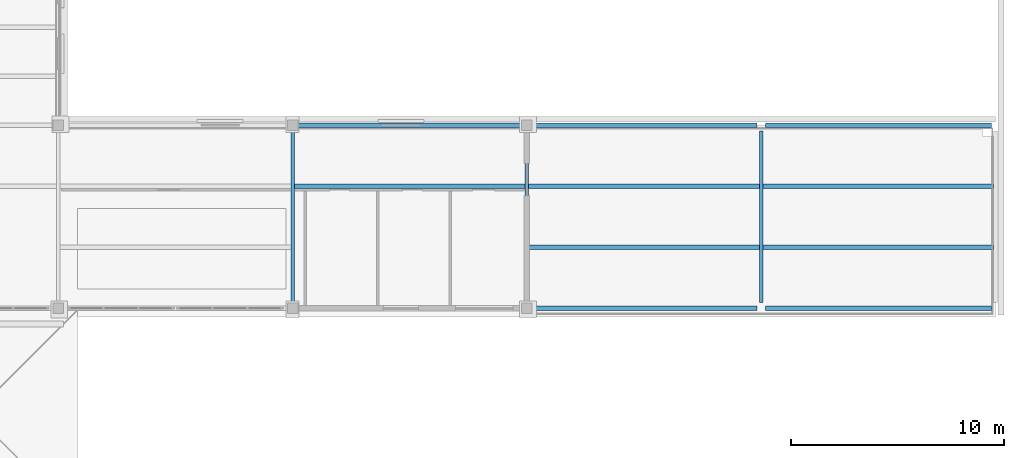
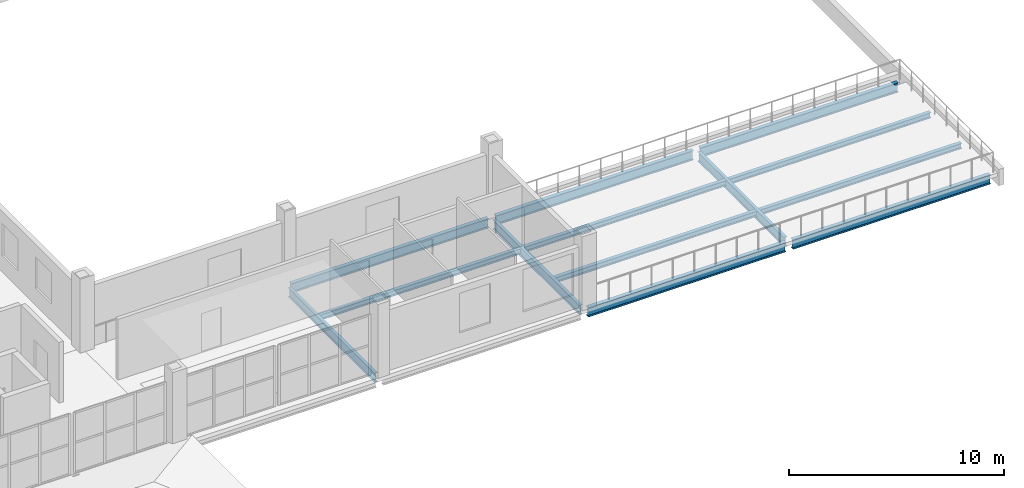
# One storey, part 16 of 26: 13 beams.
"""IFC4 building model written with IfcOpenShell, lengths in metres."""

from ifc_helpers import new_model, si_unit, direction, frame, origin, origin_2d, place, context, subcontext, project, spatial, i_section, extrude, material, material_profile, profile_set, type_object, element, save


model = new_model("IFC4")

# Units and contexts
model_context = context("Model", 3, precision=1e-05, world=origin(), true_north=direction((0.0, 1.0)))
body_context = subcontext(model_context, "Body", "Model", "MODEL_VIEW")
ifc_project = project(units=[si_unit("LENGTHUNIT", "METRE"), si_unit("AREAUNIT", "SQUARE_METRE"), si_unit("VOLUMEUNIT", "CUBIC_METRE"), si_unit("PLANEANGLEUNIT", "RADIAN"), si_unit("MASSUNIT", "GRAM", prefix="KILO")], contexts=[model_context])

# Site, building, storey
site_placement = place(None, origin())
site = spatial("IfcSite", under=ifc_project, at=site_placement, CompositionType="ELEMENT")
building_placement = place(site_placement, origin())
building = spatial("IfcBuilding", under=site, at=building_placement, Name="Caurita Quay Ferry Terminal", CompositionType="ELEMENT")
storey_placement = place(building_placement, frame((0.0, 0.0, 18.300048828125)))
storey = spatial("IfcBuildingStorey", under=building, at=storey_placement, Name="L04", CompositionType="ELEMENT", Elevation=18.300048828125)

# Beams
ifc_material = material(Name="Structural steel ASTM A992 Gr. 50", Category="steel")
ifc_material_profile_1 = material_profile(ifc_material, i_section(OverallWidth=0.210693359375, OverallDepth=0.53857421875, WebThickness=0.01171875, FlangeThickness=0.018798828125, FilletRadius=0.013916015625, at=origin_2d()), Name="W21X73")
ifc_profile_set_1 = profile_set([ifc_material_profile_1], Name="Structural steel ASTM A992 Gr. 50")
beam_type_1 = type_object("IfcBeamType", Name="BM-GR-W21A", PredefinedType="BEAM", material=ifc_profile_set_1)
for number, where, z_axis, x_axis, name in (
    (1, (44.191162109375, 71.60009765625, -0.479248046875), (1.0, 0.0, 0.0), (0.0, 1.0, 0.0), "L04 Beam BM-V5-L04-X-442-716"),
    (2, (55.191162109375, 71.60009765625, -0.479248046875), (1.0, 0.0, 0.0), (0.0, 1.0, 0.0), "L04 Beam BM-V5-L04-X-552-716"),
    (3, (33.191162109375, 80.199951171875, -0.4892578125), (1.0, 0.0, 0.0), (0.0, 1.0, 0.0), "L04 Beam BM-V5-L04-X-332-802"),
    (4, (44.191162109375, 80.199951171875, -0.479248046875), (1.0, 0.0, 0.0), (0.0, 1.0, 0.0), "L04 Beam BM-V5-L04-X-442-802"),
    (5, (55.191162109375, 80.199951171875, -0.479248046875), (1.0, 0.0, 0.0), (0.0, 1.0, 0.0), "L04 Beam BM-V5-L04-X-552-802"),
):
    element("IfcBeam", number, at=place(storey_placement, frame(where, z_axis=z_axis, x_axis=x_axis)), inside=storey, type_object=beam_type_1, Name=name, PredefinedType="BEAM", context=body_context, shape_type="SweptSolid", body=[
        extrude(i_section(OverallWidth=0.210693359375, OverallDepth=0.53857421875, WebThickness=0.01171875, FlangeThickness=0.018798828125, FilletRadius=0.013916015625, at=origin_2d()), origin(), (0.0, 0.0, 1.0), 10.61767578125),
    ])
ifc_material_profile_2 = material_profile(ifc_material, i_section(OverallWidth=0.20458984375, OverallDepth=0.307373046875, WebThickness=0.008544921875, FlangeThickness=0.0146484375, FilletRadius=0.0126953125, at=origin_2d()), Name="W12X45")
ifc_profile_set_2 = profile_set([ifc_material_profile_2], Name="Structural steel ASTM A992 Gr. 50")
beam_type_2 = type_object("IfcBeamType", Name="BM-JS-W12B", PredefinedType="JOIST", material=ifc_profile_set_2)
for number, where, z_axis, x_axis, name in (
    (6, (33.083251953125, 77.333251953125, -0.373779296875), (1.0, 0.0, 0.0), (0.0, 1.0, 0.0), "L04 Beam JS-V5-L04-028"),
    (7, (44.083251953125, 74.466796875, -0.36376953125), (1.0, 0.0, 0.0), (0.0, 1.0, 0.0), "L04 Beam JS-V5-L04-032"),
    (8, (44.083251953125, 77.333251953125, -0.36376953125), (1.0, 0.0, 0.0), (0.0, 1.0, 0.0), "L04 Beam JS-V5-L04-033"),
    (9, (55.083251953125, 74.466796875, -0.36376953125), (1.0, 0.0, 0.0), (0.0, 1.0, 0.0), "L04 Beam JS-V5-L04-037"),
    (10, (55.083251953125, 77.333251953125, -0.36376953125), (1.0, 0.0, 0.0), (0.0, 1.0, 0.0), "L04 Beam JS-V5-L04-038"),
):
    element("IfcBeam", number, at=place(storey_placement, frame(where, z_axis=z_axis, x_axis=x_axis)), inside=storey, type_object=beam_type_2, Name=name, PredefinedType="JOIST", context=body_context, shape_type="SweptSolid", body=[
        extrude(i_section(OverallWidth=0.20458984375, OverallDepth=0.307373046875, WebThickness=0.008544921875, FlangeThickness=0.0146484375, FilletRadius=0.0126953125, at=origin_2d()), origin(), (0.0, 0.0, 1.0), 10.83349609375),
    ])
ifc_material_profile_3 = material_profile(ifc_material, i_section(OverallWidth=0.16650390625, OverallDepth=0.535888671875, WebThickness=0.01025390625, FlangeThickness=0.0166015625, FilletRadius=0.013916015625, at=origin_2d()), Name="W21X57")
ifc_profile_set_3 = profile_set([ifc_material_profile_3], Name="Structural steel ASTM A992 Gr. 50")
beam_type_3 = type_object("IfcBeamType", Name="BM-SP-W21B", PredefinedType="SPANDREL", material=ifc_profile_set_3)
for number, where, z_axis, x_axis, name in (
    (11, (33.0, 71.876220703125, -0.488037109375), (0.0, 1.0, 0.0), (-1.0, 0.0, 0.0), "L04 Beam BM-V5-L04-Y-330-719"),
    (12, (44.0, 71.876220703125, -0.488037109375), (0.0, 1.0, 0.0), (-1.0, 0.0, 0.0), "L04 Beam BM-V5-L04-Y-440-719"),
    (13, (55.0, 71.876220703125, -0.47802734375), (0.0, 1.0, 0.0), (-1.0, 0.0, 0.0), "L04 Beam BM-V5-L04-Y-550-719"),
):
    element("IfcBeam", number, at=place(storey_placement, frame(where, z_axis=z_axis, x_axis=x_axis)), inside=storey, type_object=beam_type_3, Name=name, PredefinedType="SPANDREL", context=body_context, shape_type="SweptSolid", body=[
        extrude(i_section(OverallWidth=0.16650390625, OverallDepth=0.535888671875, WebThickness=0.01025390625, FlangeThickness=0.0166015625, FilletRadius=0.013916015625, at=origin_2d()), origin(), (0.0, 0.0, 1.0), 8.04736328125),
    ])

save(model, "model.ifc")
